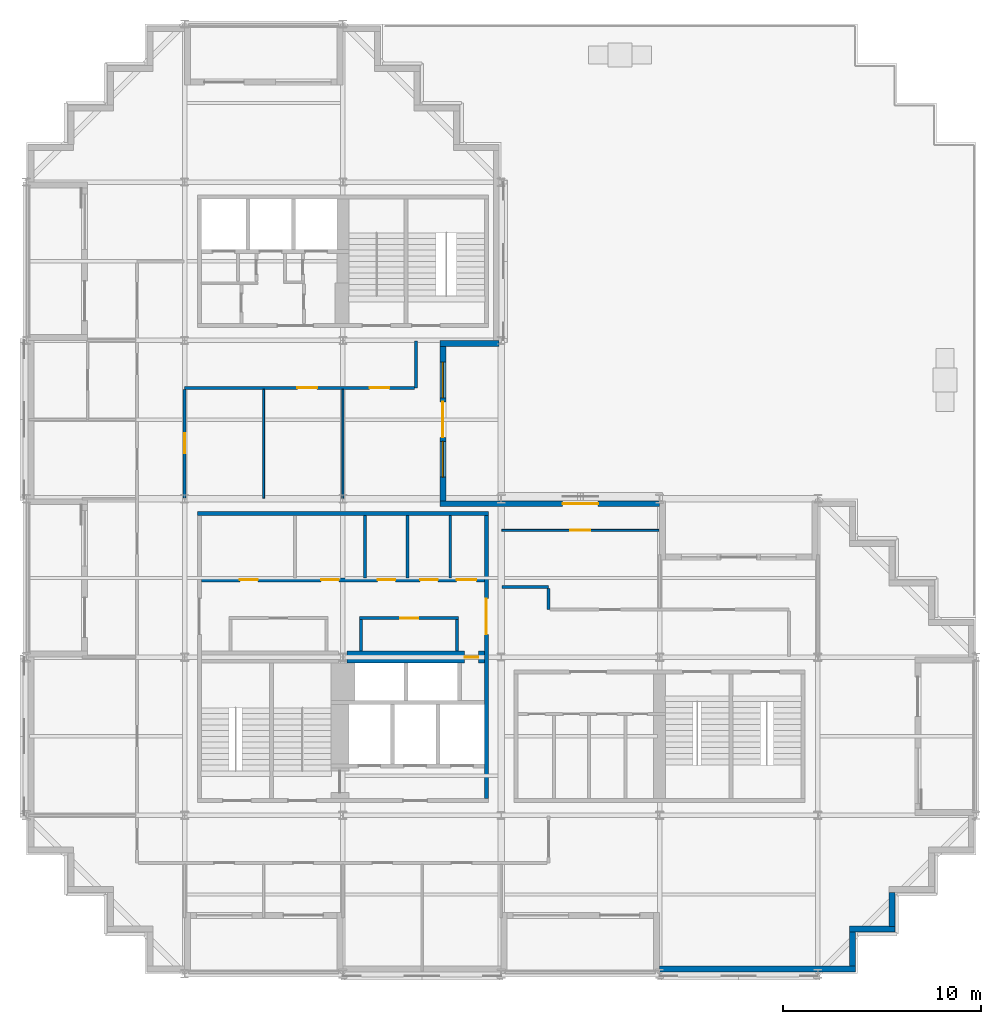
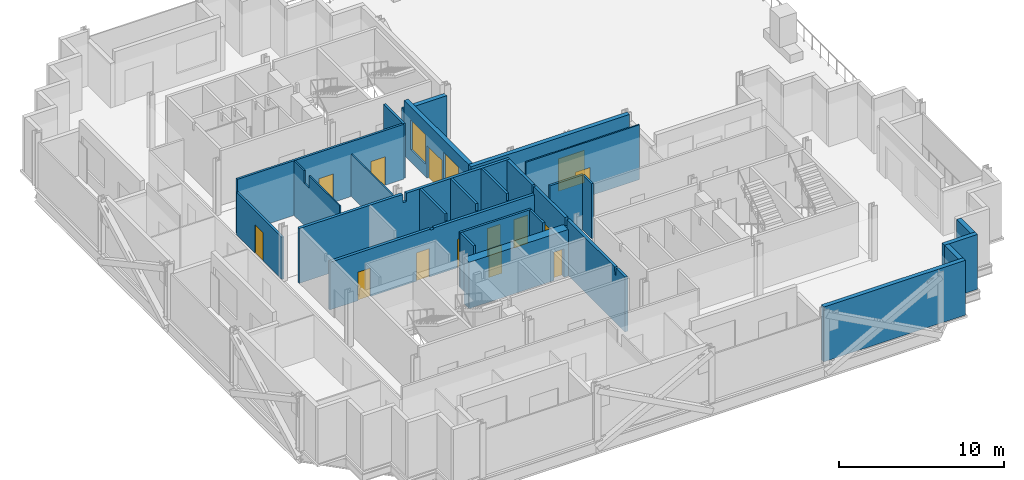
# One storey, part 6 of 12: 25 walls, 14 doors, 2 windows, 16 openings.
"""IFC4 building model written with IfcOpenShell, lengths in metres."""

from ifc_helpers import new_model, si_unit, direction, frame, frame_2d, origin, place, context, subcontext, project, spatial, polyline, rectangle, outline, extrude, material, layer, layer_set, type_object, element, fill, save


model = new_model("IFC4")

# Units and contexts
model_context = context("Model", 3, precision=1e-05, world=origin(), true_north=direction((0.0, 1.0)))
body_context = subcontext(model_context, "Body", "Model", "MODEL_VIEW")
ifc_project = project(units=[si_unit("LENGTHUNIT", "METRE"), si_unit("AREAUNIT", "SQUARE_METRE"), si_unit("VOLUMEUNIT", "CUBIC_METRE"), si_unit("PLANEANGLEUNIT", "RADIAN"), si_unit("MASSUNIT", "GRAM", prefix="KILO")], contexts=[model_context])

# Site, building, storey
site_placement = place(None, origin())
site = spatial("IfcSite", under=ifc_project, at=site_placement, CompositionType="ELEMENT")
building_placement = place(site_placement, origin())
building = spatial("IfcBuilding", under=site, at=building_placement, Name="Immortelle Media Tower", CompositionType="ELEMENT")
storey_placement = place(building_placement, frame((0.0, 0.0, 120.0)))
storey = spatial("IfcBuildingStorey", under=building, at=storey_placement, Name="L23", CompositionType="ELEMENT", Elevation=120.0)

# Wall, opening, door
ifc_material_1 = material(Name="Fire-rated masonry blockwork", Category="masonry")
ifc_layer_1 = layer(ifc_material_1, 0.60009765625)
ifc_layer_set_1 = layer_set([ifc_layer_1], Name="Fire-rated masonry blockwork")
wall_type_1 = type_object("IfcWallType", Name="Core grid-line wall 600", PredefinedType="PARTITIONING", material=ifc_layer_set_1)
wall_1_placement = place(storey_placement, frame((16.21044921875, 16.0, 0.0), z_axis=(0.0, 0.0, 1.0), x_axis=(1.0, 0.0, 0.0)))
wall_1 = element("IfcWall", 1, at=wall_1_placement, inside=storey, type_object=wall_type_1, Name="Core grid-line wall SW", PredefinedType="PARTITIONING", context=body_context, shape_type="SweptSolid", body=[
    extrude(rectangle(XDim=6.939453125, YDim=0.60009765625, at=frame_2d((3.4697265625, 0.0))), origin(), (0.0, 0.0, 1.0), 3.431884765625),
])
opening_1_placement = place(wall_1_placement, frame((6.639404296875, 0.0, 0.0), z_axis=(0.0, 0.0, 1.0), x_axis=(-1.0, 0.0, 0.0)))
opening_1 = element("IfcOpeningElement", 2, at=opening_1_placement, cuts=wall_1, Name="Opening C1-K016", PredefinedType="OPENING", context=body_context, shape_type="SweptSolid", body=[
    extrude(rectangle(XDim=0.699951171875, YDim=2.10009765625, at=frame_2d((0.35009765625, 1.050048828125))), frame((0.0, 0.31005859375, 0.0), z_axis=(0.0, -1.0, 0.0), x_axis=(1.0, 0.0, 0.0)), (0.0, 0.0, 1.0), 0.6201171875),
])
ifc_material_2 = material(Name="Galvanised steel door leaf and frame ASTM A653", Category="steel")
door_type_1 = type_object("IfcDoorType", Name="Service door 700 x 2100", OperationType="NOTDEFINED", PredefinedType="NOTDEFINED", material=ifc_material_2)
door_1_placement = place(opening_1_placement, origin())
door_1 = element("IfcDoor", 3, at=door_1_placement, inside=storey, type_object=door_type_1, Name="Service C1-K016", OperationType="SINGLE_SWING_RIGHT", OverallHeight=2.10009765625, OverallWidth=0.699951171875, PredefinedType="NOTDEFINED", context=body_context, shape_type="SweptSolid", body=[
    extrude(rectangle(XDim=0.699951171875, YDim=2.10009765625, at=frame_2d((0.35009765625, 1.050048828125))), frame((0.0, 0.02490234375, 0.0), z_axis=(0.0, -1.0, 0.0), x_axis=(1.0, 0.0, 0.0)), (0.0, 0.0, 1.0), 0.050048828125),
])
fill(opening_1, door_1)

# Wall
ifc_material_3 = material(Name="Fire-rated gypsum board", Category="gypsum")
ifc_layer_2 = layer(ifc_material_3, 0.02490234375)
ifc_material_4 = material(Name="Steel ASTM A653 SS Gr 50 stud frame with mineral wool", Category="steel")
ifc_layer_3 = layer(ifc_material_4, 0.10009765625)
ifc_layer_4 = layer(ifc_material_3, 0.02490234375)
ifc_layer_set_2 = layer_set([ifc_layer_2, ifc_layer_3, ifc_layer_4], Name="Steel ASTM A653 SS Gr 50 stud frame with mineral wool")
wall_type_2 = type_object("IfcWallType", Name="Core partition 150", PredefinedType="PARTITIONING", material=ifc_layer_set_2)
wall_2_placement = place(storey_placement, frame((16.925048828125, 16.300048828125, 0.0), z_axis=(0.0, 0.0, 1.0), x_axis=(0.0, 1.0, 0.0)))
element("IfcWall", 4, at=wall_2_placement, inside=storey, type_object=wall_type_2, Name="Core partition SW", PredefinedType="PARTITIONING", context=body_context, shape_type="SweptSolid", body=[
    extrude(rectangle(XDim=1.599853515625, YDim=0.14990234375, at=frame_2d((0.7998046875, 0.0))), origin(), (0.0, 0.0, 1.0), 4.050048828125),
])

# Wall, opening, door
wall_3_placement = place(storey_placement, frame((16.85009765625, 17.97509765625, 0.0), z_axis=(0.0, 0.0, 1.0), x_axis=(1.0, 0.0, 0.0)))
wall_3 = element("IfcWall", 5, at=wall_3_placement, inside=storey, type_object=wall_type_2, Name="Core partition SW", PredefinedType="PARTITIONING", context=body_context, shape_type="SweptSolid", body=[
    extrude(rectangle(XDim=5.0, YDim=0.14990234375, at=frame_2d((2.5, 0.0))), origin(), (0.0, 0.0, 1.0), 4.050048828125),
])
opening_2_placement = place(wall_3_placement, frame((2.949951171875, 0.0, 0.0), z_axis=(0.0, 0.0, 1.0), x_axis=(-1.0, 0.0, 0.0)))
opening_2 = element("IfcOpeningElement", 6, at=opening_2_placement, cuts=wall_3, Name="Opening C1-K010", PredefinedType="OPENING", context=body_context, shape_type="SweptSolid", body=[
    extrude(rectangle(XDim=0.89990234375, YDim=2.10009765625, at=frame_2d((0.449951171875, 1.050048828125))), frame((0.0, 0.0849609375, 0.0), z_axis=(0.0, -1.0, 0.0), x_axis=(1.0, 0.0, 0.0)), (0.0, 0.0, 1.0), 0.169921875),
])
ifc_material_5 = material(Name="Timber", Category="wood")
door_type_2 = type_object("IfcDoorType", Name="Room door 900 x 2100", OperationType="NOTDEFINED", PredefinedType="NOTDEFINED", material=ifc_material_5)
door_2_placement = place(opening_2_placement, origin())
door_2 = element("IfcDoor", 7, at=door_2_placement, inside=storey, type_object=door_type_2, Name="Room C1-K010", OperationType="SINGLE_SWING_LEFT", OverallHeight=2.10009765625, OverallWidth=0.89990234375, PredefinedType="NOTDEFINED", context=body_context, shape_type="SweptSolid", body=[
    extrude(rectangle(XDim=0.89990234375, YDim=2.10009765625, at=frame_2d((0.449951171875, 1.050048828125))), frame((0.0, 0.02490234375, 0.0), z_axis=(0.0, -1.0, 0.0), x_axis=(1.0, 0.0, 0.0)), (0.0, 0.0, 1.0), 0.050048828125),
])
fill(opening_2, door_2)

# Walls
for number, where, z_axis, x_axis, name in (
    (8, (17.125, 20.0, 0.0), (0.0, 0.0, 1.0), (0.0, 1.0, 0.0), "Core partition SW"),
    (9, (19.27490234375, 20.0, 0.0), (0.0, 0.0, 1.0), (0.0, 1.0, 0.0), "Core partition SW"),
    (10, (21.425048828125, 20.0, 0.0), (0.0, 0.0, 1.0), (0.0, 1.0, 0.0), "Core partition SW"),
):
    element("IfcWall", number, at=place(storey_placement, frame(where, z_axis=z_axis, x_axis=x_axis)), inside=storey, type_object=wall_type_2, Name=name, PredefinedType="PARTITIONING", context=body_context, shape_type="SweptSolid", body=[
        extrude(outline(polyline([(0.0, 0.0), (3.14990234375, 0.0), (3.14990234375, 4.050048828125), (0.08740234375, 4.050048828125), (0.08642578125, 3.51806640625), (0.0, 3.51806640625), (0.0, 0.0)])), frame((0.0, 0.074951171875, 0.0), z_axis=(0.0, -1.0, 0.0), x_axis=(1.0, 0.0, 0.0)), (0.0, 0.0, 1.0), 0.14990234375),
    ])
wall_4_placement = place(storey_placement, frame((21.77490234375, 16.300048828125, 0.0), z_axis=(0.0, 0.0, 1.0), x_axis=(0.0, 1.0, 0.0)))
element("IfcWall", 11, at=wall_4_placement, inside=storey, type_object=wall_type_2, Name="Core partition SW", PredefinedType="PARTITIONING", context=body_context, shape_type="SweptSolid", body=[
    extrude(rectangle(XDim=1.599853515625, YDim=0.14990234375, at=frame_2d((0.7998046875, 0.0))), origin(), (0.0, 0.0, 1.0), 4.050048828125),
])
ifc_layer_5 = layer(ifc_material_3, 0.03759765625)
ifc_layer_6 = layer(ifc_material_4, 0.125)
ifc_layer_7 = layer(ifc_material_3, 0.03759765625)
ifc_layer_set_3 = layer_set([ifc_layer_5, ifc_layer_6, ifc_layer_7], Name="Steel ASTM A653 SS Gr 50 stud frame with mineral wool")
wall_type_3 = type_object("IfcWallType", Name="Core shaft wall 200", PredefinedType="PARTITIONING", material=ifc_layer_set_3)
wall_5_placement = place(storey_placement, frame((8.64990234375, 23.25, 0.0), z_axis=(0.0, 0.0, 1.0), x_axis=(1.0, 0.0, 0.0)))
element("IfcWall", 12, at=wall_5_placement, inside=storey, type_object=wall_type_3, Name="Core shaft wall SW", PredefinedType="PARTITIONING", context=body_context, shape_type="SweptSolid", body=[
    extrude(outline(polyline([(0.0, 0.0), (14.7001953125, 0.0), (14.699951171875, 4.050048828125), (7.469482421875, 4.050048828125), (7.468505859375, 3.431884765625), (7.2314453125, 3.431884765625), (7.23046875, 4.050048828125), (0.0, 4.050048828125), (0.0, 0.0)])), frame((0.0, 0.10009765625, 0.0), z_axis=(0.0, -1.0, 0.0), x_axis=(1.0, 0.0, 0.0)), (0.0, 0.0, 1.0), 0.199951171875),
])

# Wall, openings, doors
wall_6_placement = place(storey_placement, frame((8.85009765625, 19.89990234375, 0.0), z_axis=(0.0, 0.0, 1.0), x_axis=(1.0, 0.0, 0.0)))
wall_6 = element("IfcWall", 13, at=wall_6_placement, inside=storey, type_object=wall_type_3, Name="Core shaft wall SW", PredefinedType="PARTITIONING", context=body_context, shape_type="SweptSolid", body=[
    extrude(outline(polyline([(0.0, 0.0), (14.2998046875, 0.0), (14.300048828125, 3.51806640625), (7.26953125, 3.51806640625), (7.2685546875, 3.431884765625), (7.031494140625, 3.431884765625), (7.030517578125, 3.51806640625), (0.0, 3.51806640625), (0.0, 0.0)])), frame((0.0, 0.10009765625, 0.0), z_axis=(0.0, -1.0, 0.0), x_axis=(1.0, 0.0, 0.0)), (0.0, 0.0, 1.0), 0.199951171875),
])
opening_3_placement = place(wall_6_placement, frame((1.949951171875, 0.0, 0.0)))
opening_3 = element("IfcOpeningElement", 14, at=opening_3_placement, cuts=wall_6, Name="Opening C1-K003", PredefinedType="OPENING", context=body_context, shape_type="SweptSolid", body=[
    extrude(rectangle(XDim=0.89990234375, YDim=2.10009765625, at=frame_2d((0.449951171875, 1.050048828125))), frame((0.0, 0.10986328125, 0.0), z_axis=(0.0, -1.0, 0.0), x_axis=(1.0, 0.0, 0.0)), (0.0, 0.0, 1.0), 0.219970703125),
])
opening_4_placement = place(wall_6_placement, frame((6.050048828125, 0.0, 0.0)))
opening_4 = element("IfcOpeningElement", 15, at=opening_4_placement, cuts=wall_6, Name="Opening C1-K006", PredefinedType="OPENING", context=body_context, shape_type="SweptSolid", body=[
    extrude(rectangle(XDim=0.89990234375, YDim=2.10009765625, at=frame_2d((0.449951171875, 1.050048828125))), frame((0.0, 0.10986328125, 0.0), z_axis=(0.0, -1.0, 0.0), x_axis=(1.0, 0.0, 0.0)), (0.0, 0.0, 1.0), 0.219970703125),
])
opening_5_placement = place(wall_6_placement, frame((8.89990234375, 0.0, 0.0)))
opening_5 = element("IfcOpeningElement", 16, at=opening_5_placement, cuts=wall_6, Name="Opening C1-K009", PredefinedType="OPENING", context=body_context, shape_type="SweptSolid", body=[
    extrude(rectangle(XDim=0.89990234375, YDim=2.10009765625, at=frame_2d((0.449951171875, 1.050048828125))), frame((0.0, 0.10986328125, 0.0), z_axis=(0.0, -1.0, 0.0), x_axis=(1.0, 0.0, 0.0)), (0.0, 0.0, 1.0), 0.219970703125),
])
opening_6_placement = place(wall_6_placement, frame((11.050048828125, 0.0, 0.0)))
opening_6 = element("IfcOpeningElement", 17, at=opening_6_placement, cuts=wall_6, Name="Opening C1-K013", PredefinedType="OPENING", context=body_context, shape_type="SweptSolid", body=[
    extrude(rectangle(XDim=0.89990234375, YDim=2.10009765625, at=frame_2d((0.449951171875, 1.050048828125))), frame((0.0, 0.10986328125, 0.0), z_axis=(0.0, -1.0, 0.0), x_axis=(1.0, 0.0, 0.0)), (0.0, 0.0, 1.0), 0.219970703125),
])
opening_7_placement = place(wall_6_placement, frame((12.89990234375, 0.0, 0.0)))
opening_7 = element("IfcOpeningElement", 18, at=opening_7_placement, cuts=wall_6, Name="Opening C1-K015", PredefinedType="OPENING", context=body_context, shape_type="SweptSolid", body=[
    extrude(rectangle(XDim=1.0, YDim=2.10009765625, at=frame_2d((0.5, 1.050048828125))), frame((0.0, 0.10986328125, 0.0), z_axis=(0.0, -1.0, 0.0), x_axis=(1.0, 0.0, 0.0)), (0.0, 0.0, 1.0), 0.219970703125),
])
door_type_3 = type_object("IfcDoorType", Name="Accessible toilet door 1000 x 2100", OperationType="NOTDEFINED", PredefinedType="NOTDEFINED", material=ifc_material_5)
door_3_placement = place(opening_7_placement, origin())
door_3 = element("IfcDoor", 19, at=door_3_placement, inside=storey, type_object=door_type_3, Name="Accessible toilet C1-K015", OperationType="SINGLE_SWING_LEFT", OverallHeight=2.10009765625, OverallWidth=1.0, PredefinedType="NOTDEFINED", context=body_context, shape_type="SweptSolid", body=[
    extrude(rectangle(XDim=1.0, YDim=2.10009765625, at=frame_2d((0.5, 1.050048828125))), frame((0.0, 0.02490234375, 0.0), z_axis=(0.0, -1.0, 0.0), x_axis=(1.0, 0.0, 0.0)), (0.0, 0.0, 1.0), 0.050048828125),
])
fill(opening_7, door_3)
door_4_placement = place(opening_3_placement, origin())
door_4 = element("IfcDoor", 20, at=door_4_placement, inside=storey, type_object=door_type_2, Name="Room C1-K003", OperationType="SINGLE_SWING_LEFT", OverallHeight=2.10009765625, OverallWidth=0.89990234375, PredefinedType="NOTDEFINED", context=body_context, shape_type="SweptSolid", body=[
    extrude(rectangle(XDim=0.89990234375, YDim=2.10009765625, at=frame_2d((0.449951171875, 1.050048828125))), frame((0.0, 0.02490234375, 0.0), z_axis=(0.0, -1.0, 0.0), x_axis=(1.0, 0.0, 0.0)), (0.0, 0.0, 1.0), 0.050048828125),
])
fill(opening_3, door_4)
door_5_placement = place(opening_4_placement, origin())
door_5 = element("IfcDoor", 21, at=door_5_placement, inside=storey, type_object=door_type_2, Name="Room C1-K006", OperationType="SINGLE_SWING_LEFT", OverallHeight=2.10009765625, OverallWidth=0.89990234375, PredefinedType="NOTDEFINED", context=body_context, shape_type="SweptSolid", body=[
    extrude(rectangle(XDim=0.89990234375, YDim=2.10009765625, at=frame_2d((0.449951171875, 1.050048828125))), frame((0.0, 0.02490234375, 0.0), z_axis=(0.0, -1.0, 0.0), x_axis=(1.0, 0.0, 0.0)), (0.0, 0.0, 1.0), 0.050048828125),
])
fill(opening_4, door_5)
door_type_4 = type_object("IfcDoorType", Name="Toilet door 900 x 2100", OperationType="NOTDEFINED", PredefinedType="NOTDEFINED", material=ifc_material_5)
door_6_placement = place(opening_5_placement, origin())
door_6 = element("IfcDoor", 22, at=door_6_placement, inside=storey, type_object=door_type_4, Name="Toilet C1-K009", OperationType="SINGLE_SWING_RIGHT", OverallHeight=2.10009765625, OverallWidth=0.89990234375, PredefinedType="NOTDEFINED", context=body_context, shape_type="SweptSolid", body=[
    extrude(rectangle(XDim=0.89990234375, YDim=2.10009765625, at=frame_2d((0.449951171875, 1.050048828125))), frame((0.0, 0.02490234375, 0.0), z_axis=(0.0, -1.0, 0.0), x_axis=(1.0, 0.0, 0.0)), (0.0, 0.0, 1.0), 0.050048828125),
])
fill(opening_5, door_6)
door_7_placement = place(opening_6_placement, origin())
door_7 = element("IfcDoor", 23, at=door_7_placement, inside=storey, type_object=door_type_4, Name="Toilet C1-K013", OperationType="SINGLE_SWING_RIGHT", OverallHeight=2.10009765625, OverallWidth=0.89990234375, PredefinedType="NOTDEFINED", context=body_context, shape_type="SweptSolid", body=[
    extrude(rectangle(XDim=0.89990234375, YDim=2.10009765625, at=frame_2d((0.449951171875, 1.050048828125))), frame((0.0, 0.02490234375, 0.0), z_axis=(0.0, -1.0, 0.0), x_axis=(1.0, 0.0, 0.0)), (0.0, 0.0, 1.0), 0.050048828125),
])
fill(opening_6, door_7)

# Wall, opening, door
wall_7_placement = place(storey_placement, frame((23.25, 8.85009765625, 0.0), z_axis=(0.0, 0.0, 1.0), x_axis=(0.0, 1.0, 0.0)))
wall_7 = element("IfcWall", 24, at=wall_7_placement, inside=storey, type_object=wall_type_3, Name="Core shaft wall SW", PredefinedType="PARTITIONING", context=body_context, shape_type="SweptSolid", body=[
    extrude(outline(polyline([(0.0, 0.0), (14.2998046875, 0.0), (14.300048828125, 4.050048828125), (11.237548828125, 4.050048828125), (11.236572265625, 3.51806640625), (11.0634765625, 3.51806640625), (11.0625, 4.050048828125), (7.26953125, 4.050048828125), (7.2685546875, 3.431884765625), (7.031494140625, 3.431884765625), (7.030517578125, 4.050048828125), (1.237548828125, 4.050048828125), (1.236572265625, 3.51806640625), (1.0634765625, 3.51806640625), (1.0625, 4.050048828125), (0.0, 4.050048828125), (0.0, 0.0)])), frame((0.0, 0.10009765625, 0.0), z_axis=(0.0, -1.0, 0.0), x_axis=(1.0, 0.0, 0.0)), (0.0, 0.0, 1.0), 0.199951171875),
])
opening_8_placement = place(wall_7_placement, frame((8.300048828125, 0.0, 0.0)))
opening_8 = element("IfcOpeningElement", 25, at=opening_8_placement, cuts=wall_7, Name="Opening C1-K017", PredefinedType="OPENING", context=body_context, shape_type="SweptSolid", body=[
    extrude(rectangle(XDim=1.800048828125, YDim=2.10009765625, at=frame_2d((0.89990234375, 1.050048828125))), frame((0.0, 0.10986328125, 0.0), z_axis=(0.0, -1.0, 0.0), x_axis=(1.0, 0.0, 0.0)), (0.0, 0.0, 1.0), 0.219970703125),
])
door_type_5 = type_object("IfcDoorType", Name="Lift lobby door 1800 x 2100", OperationType="DOUBLE_DOOR_SINGLE_SWING", PredefinedType="NOTDEFINED", material=ifc_material_2)
door_8_placement = place(opening_8_placement, origin())
door_8 = element("IfcDoor", 26, at=door_8_placement, inside=storey, type_object=door_type_5, Name="Lift lobby C1-K017", OperationType="DOUBLE_DOOR_SINGLE_SWING", OverallHeight=2.10009765625, OverallWidth=1.800048828125, PredefinedType="NOTDEFINED", context=body_context, shape_type="SweptSolid", body=[
    extrude(rectangle(XDim=1.800048828125, YDim=2.10009765625, at=frame_2d((0.89990234375, 1.050048828125))), frame((0.0, 0.02490234375, 0.0), z_axis=(0.0, -1.0, 0.0), x_axis=(1.0, 0.0, 0.0)), (0.0, 0.0, 1.0), 0.050048828125),
])
fill(opening_8, door_8)

# Walls
ifc_layer_8 = layer(ifc_material_3, 0.012451171875)
ifc_layer_9 = layer(ifc_material_4, 0.125)
ifc_layer_10 = layer(ifc_material_3, 0.012451171875)
ifc_layer_set_4 = layer_set([ifc_layer_8, ifc_layer_9, ifc_layer_10], Name="Steel ASTM A653 SS Gr 50 stud frame with mineral wool")
wall_type_4 = type_object("IfcWallType", Name="Corridor wall 150", PredefinedType="PARTITIONING", material=ifc_layer_set_4)
wall_8_placement = place(storey_placement, frame((26.39990234375, 18.39990234375, 0.0), z_axis=(0.0, 0.0, 1.0), x_axis=(0.0, 1.0, 0.0)))
element("IfcWall", 27, at=wall_8_placement, inside=storey, type_object=wall_type_4, Name="Partition L23-014", PredefinedType="PARTITIONING", context=body_context, shape_type="SweptSolid", body=[
    extrude(rectangle(XDim=1.0751953125, YDim=0.14990234375, at=frame_2d((0.53759765625, 0.0))), origin(), (0.0, 0.0, 1.0), 4.050048828125),
])
wall_9_placement = place(storey_placement, frame((24.030029296875, 19.550048828125, 0.0), z_axis=(0.0, 0.0, 1.0), x_axis=(1.0, 0.0, 0.0)))
element("IfcWall", 28, at=wall_9_placement, inside=storey, type_object=wall_type_4, Name="Partition L23-016", PredefinedType="PARTITIONING", context=body_context, shape_type="SweptSolid", body=[
    extrude(rectangle(XDim=2.369873046875, YDim=0.14990234375, at=frame_2d((1.18505859375, 0.0))), origin(), (0.0, 0.0, 1.0), 4.050048828125),
])

# Wall, opening, door
wall_10_placement = place(storey_placement, frame((8.0, 24.030029296875, 0.0), z_axis=(0.0, 0.0, 1.0), x_axis=(0.0, 1.0, 0.0)))
wall_10 = element("IfcWall", 29, at=wall_10_placement, inside=storey, type_object=wall_type_4, Name="Partition L23-019", PredefinedType="PARTITIONING", context=body_context, shape_type="SweptSolid", body=[
    extrude(rectangle(XDim=5.494873046875, YDim=0.14990234375, at=frame_2d((2.74755859375, 0.0))), origin(), (0.0, 0.0, 1.0), 3.123046875),
])
opening_9_placement = place(wall_10_placement, frame((3.27001953125, 0.0, 0.0), z_axis=(0.0, 0.0, 1.0), x_axis=(-1.0, 0.0, 0.0)))
opening_9 = element("IfcOpeningElement", 30, at=opening_9_placement, cuts=wall_10, Name="Opening C1-F012", PredefinedType="OPENING", context=body_context, shape_type="SweptSolid", body=[
    extrude(rectangle(XDim=1.0, YDim=2.10009765625, at=frame_2d((0.5, 1.050048828125))), frame((0.0, 0.0849609375, 0.0), z_axis=(0.0, -1.0, 0.0), x_axis=(1.0, 0.0, 0.0)), (0.0, 0.0, 1.0), 0.169921875),
])
ifc_material_6 = material(Name="Timber veneered door leaf, galvanised steel frame ASTM A653", Category="steel")
door_type_6 = type_object("IfcDoorType", Name="Room door 1000 x 2100", OperationType="NOTDEFINED", PredefinedType="DOOR", material=ifc_material_6)
door_9_placement = place(opening_9_placement, origin())
door_9 = element("IfcDoor", 31, at=door_9_placement, inside=storey, type_object=door_type_6, Name="Door C1-F012", OperationType="SINGLE_SWING_LEFT", OverallHeight=2.10009765625, OverallWidth=1.0, PredefinedType="DOOR", context=body_context, shape_type="SweptSolid", body=[
    extrude(rectangle(XDim=1.0, YDim=2.10009765625, at=frame_2d((0.5, 1.050048828125))), frame((0.0, 0.02490234375, 0.0), z_axis=(0.0, -1.0, 0.0), x_axis=(1.0, 0.0, 0.0)), (0.0, 0.0, 1.0), 0.050048828125),
])
fill(opening_9, door_9)

# Wall, openings, doors
wall_11_placement = place(storey_placement, frame((8.0, 29.60009765625, 0.0), z_axis=(0.0, 0.0, 1.0), x_axis=(1.0, 0.0, 0.0)))
wall_11 = element("IfcWall", 32, at=wall_11_placement, inside=storey, type_object=wall_type_4, Name="Partition L23-025", PredefinedType="PARTITIONING", context=body_context, shape_type="SweptSolid", body=[
    extrude(rectangle(XDim=11.625, YDim=0.14990234375, at=frame_2d((5.8125, 0.0))), origin(), (0.0, 0.0, 1.0), 4.050048828125),
])
opening_10_placement = place(wall_11_placement, frame((6.699951171875, 0.0, 0.0), z_axis=(0.0, 0.0, 1.0), x_axis=(-1.0, 0.0, 0.0)))
opening_10 = element("IfcOpeningElement", 33, at=opening_10_placement, cuts=wall_11, Name="Opening C1-F013", PredefinedType="OPENING", context=body_context, shape_type="SweptSolid", body=[
    extrude(rectangle(XDim=1.0, YDim=2.10009765625, at=frame_2d((0.5, 1.050048828125))), frame((0.0, 0.0849609375, 0.0), z_axis=(0.0, -1.0, 0.0), x_axis=(1.0, 0.0, 0.0)), (0.0, 0.0, 1.0), 0.169921875),
])
opening_11_placement = place(wall_11_placement, frame((10.35009765625, 0.0, 0.0), z_axis=(0.0, 0.0, 1.0), x_axis=(-1.0, 0.0, 0.0)))
opening_11 = element("IfcOpeningElement", 34, at=opening_11_placement, cuts=wall_11, Name="Opening C1-F014", PredefinedType="OPENING", context=body_context, shape_type="SweptSolid", body=[
    extrude(rectangle(XDim=1.0, YDim=2.10009765625, at=frame_2d((0.5, 1.050048828125))), frame((0.0, 0.0849609375, 0.0), z_axis=(0.0, -1.0, 0.0), x_axis=(1.0, 0.0, 0.0)), (0.0, 0.0, 1.0), 0.169921875),
])
door_10_placement = place(opening_10_placement, origin())
door_10 = element("IfcDoor", 35, at=door_10_placement, inside=storey, type_object=door_type_6, Name="Door C1-F013", OperationType="SINGLE_SWING_LEFT", OverallHeight=2.10009765625, OverallWidth=1.0, PredefinedType="DOOR", context=body_context, shape_type="SweptSolid", body=[
    extrude(rectangle(XDim=1.0, YDim=2.10009765625, at=frame_2d((0.5, 1.050048828125))), frame((0.0, 0.02490234375, 0.0), z_axis=(0.0, -1.0, 0.0), x_axis=(1.0, 0.0, 0.0)), (0.0, 0.0, 1.0), 0.050048828125),
])
fill(opening_10, door_10)
door_11_placement = place(opening_11_placement, origin())
door_11 = element("IfcDoor", 36, at=door_11_placement, inside=storey, type_object=door_type_6, Name="Door C1-F014", OperationType="SINGLE_SWING_RIGHT", OverallHeight=2.10009765625, OverallWidth=1.0, PredefinedType="DOOR", context=body_context, shape_type="SweptSolid", body=[
    extrude(rectangle(XDim=1.0, YDim=2.10009765625, at=frame_2d((0.5, 1.050048828125))), frame((0.0, 0.02490234375, 0.0), z_axis=(0.0, -1.0, 0.0), x_axis=(1.0, 0.0, 0.0)), (0.0, 0.0, 1.0), 0.050048828125),
])
fill(opening_11, door_11)

# Walls
wall_12_placement = place(storey_placement, frame((19.699951171875, 29.60009765625, 0.0), z_axis=(0.0, 0.0, 1.0), x_axis=(0.0, 1.0, 0.0)))
element("IfcWall", 37, at=wall_12_placement, inside=storey, type_object=wall_type_4, Name="Partition L23-026", PredefinedType="PARTITIONING", context=body_context, shape_type="SweptSolid", body=[
    extrude(rectangle(XDim=2.369873046875, YDim=0.14990234375, at=frame_2d((1.18505859375, 0.0))), origin(), (0.0, 0.0, 1.0), 4.050048828125),
])
ifc_material_7 = material(Name="Pale aluminium cladding panel", Category="aluminium")
ifc_layer_11 = layer(ifc_material_7, 0.030029296875)
ifc_layer_12 = layer(ifc_material_4, 0.257568359375)
ifc_material_8 = material(Name="Moisture-resistant gypsum board", Category="gypsum")
ifc_layer_13 = layer(ifc_material_8, 0.012451171875)
ifc_layer_set_5 = layer_set([ifc_layer_11, ifc_layer_12, ifc_layer_13], Name="Steel ASTM A653 SS Gr 50 stud frame with mineral wool")
wall_type_5 = type_object("IfcWallType", Name="Facade wall 300", PredefinedType="SOLIDWALL", material=ifc_layer_set_5)
wall_13_placement = place(storey_placement, frame((32.0, 0.25, 0.0), z_axis=(0.0, 0.0, 1.0), x_axis=(1.0, 0.0, 0.0)))
element("IfcWall", 38, at=wall_13_placement, inside=storey, type_object=wall_type_5, Name="Facade wall L23 S6", PredefinedType="SOLIDWALL", context=body_context, shape_type="SweptSolid", body=[
    extrude(rectangle(XDim=9.89990234375, YDim=0.300048828125, at=frame_2d((4.949951171875, 0.0))), origin(), (0.0, 0.0, 1.0), 4.050048828125),
])
wall_14_placement = place(storey_placement, frame((41.75, 0.39990234375, 0.0), z_axis=(0.0, 0.0, 1.0), x_axis=(0.0, 1.0, 0.0)))
element("IfcWall", 39, at=wall_14_placement, inside=storey, type_object=wall_type_5, Name="Facade wall L23 E7", PredefinedType="SOLIDWALL", context=body_context, shape_type="SweptSolid", body=[
    extrude(rectangle(XDim=1.7001953125, YDim=0.300048828125, at=frame_2d((0.85009765625, 0.0))), origin(), (0.0, 0.0, 1.0), 4.050048828125),
])
wall_15_placement = place(storey_placement, frame((41.60009765625, 2.25, 0.0), z_axis=(0.0, 0.0, 1.0), x_axis=(1.0, 0.0, 0.0)))
element("IfcWall", 40, at=wall_15_placement, inside=storey, type_object=wall_type_5, Name="Facade wall L23 S8", PredefinedType="SOLIDWALL", context=body_context, shape_type="SweptSolid", body=[
    extrude(rectangle(XDim=2.2998046875, YDim=0.300048828125, at=frame_2d((1.14990234375, 0.0))), origin(), (0.0, 0.0, 1.0), 4.050048828125),
])
wall_16_placement = place(storey_placement, frame((43.75, 2.39990234375, 0.0), z_axis=(0.0, 0.0, 1.0), x_axis=(0.0, 1.0, 0.0)))
element("IfcWall", 41, at=wall_16_placement, inside=storey, type_object=wall_type_5, Name="Facade wall L23 E9", PredefinedType="SOLIDWALL", context=body_context, shape_type="SweptSolid", body=[
    extrude(rectangle(XDim=1.7001953125, YDim=0.300048828125, at=frame_2d((0.85009765625, 0.0))), origin(), (0.0, 0.0, 1.0), 4.050048828125),
])

# Wall, opening, door
wall_17_placement = place(storey_placement, frame((32.0, 23.75, 0.0), z_axis=(0.0, 0.0, 1.0), x_axis=(-1.0, 0.0, 0.0)))
wall_17 = element("IfcWall", 42, at=wall_17_placement, inside=storey, type_object=wall_type_5, Name="Facade wall L23 N20", PredefinedType="SOLIDWALL", context=body_context, shape_type="SweptSolid", body=[
    extrude(rectangle(XDim=11.10009765625, YDim=0.300048828125, at=frame_2d((5.550048828125, 0.0))), origin(), (0.0, 0.0, 1.0), 4.050048828125),
])
opening_12_placement = place(wall_17_placement, frame((3.10009765625, 0.0, 0.0)))
opening_12 = element("IfcOpeningElement", 43, at=opening_12_placement, cuts=wall_17, Name="Opening C1-E801", PredefinedType="OPENING", context=body_context, shape_type="SweptSolid", body=[
    extrude(rectangle(XDim=1.800048828125, YDim=2.39990234375, at=frame_2d((0.89990234375, 1.199951171875))), frame((0.0, 0.159912109375, 0.0), z_axis=(0.0, -1.0, 0.0), x_axis=(1.0, 0.0, 0.0)), (0.0, 0.0, 1.0), 0.320068359375),
])
ifc_material_9 = material(Name="Aluminium frame, glazed leaves", Category="aluminium")
door_type_7 = type_object("IfcDoorType", Name="Terrace door 1800 x 2400", OperationType="DOUBLE_DOOR_SINGLE_SWING", PredefinedType="DOOR", material=ifc_material_9)
door_12_placement = place(opening_12_placement, origin())
door_12 = element("IfcDoor", 44, at=door_12_placement, inside=storey, type_object=door_type_7, Name="Door C1-E801", OperationType="DOUBLE_DOOR_SINGLE_SWING", OverallHeight=2.39990234375, OverallWidth=1.800048828125, PredefinedType="DOOR", context=body_context, shape_type="SweptSolid", body=[
    extrude(rectangle(XDim=1.800048828125, YDim=2.39990234375, at=frame_2d((0.89990234375, 1.199951171875))), frame((0.0, 0.02490234375, 0.0), z_axis=(0.0, -1.0, 0.0), x_axis=(1.0, 0.0, 0.0)), (0.0, 0.0, 1.0), 0.050048828125),
])
fill(opening_12, door_12)

# Wall, openings, door, windows
wall_18_placement = place(storey_placement, frame((21.050048828125, 23.89990234375, 0.0), z_axis=(0.0, 0.0, 1.0), x_axis=(0.0, 1.0, 0.0)))
wall_18 = element("IfcWall", 45, at=wall_18_placement, inside=storey, type_object=wall_type_5, Name="Loggia wall L23 E21", PredefinedType="SOLIDWALL", context=body_context, shape_type="SweptSolid", body=[
    extrude(rectangle(XDim=7.800048828125, YDim=0.300048828125, at=frame_2d((3.89990234375, 0.0))), origin(), (0.0, 0.0, 1.0), 4.050048828125),
])
opening_13_placement = place(wall_18_placement, frame((1.199951171875, 0.0, 0.89990234375)))
opening_13 = element("IfcOpeningElement", 46, at=opening_13_placement, cuts=wall_18, Name="Opening W2", PredefinedType="OPENING", context=body_context, shape_type="SweptSolid", body=[
    extrude(rectangle(XDim=1.800048828125, YDim=2.199951171875, at=frame_2d((0.89990234375, 1.10009765625))), frame((0.0, 0.159912109375, 0.0), z_axis=(0.0, -1.0, 0.0), x_axis=(1.0, 0.0, 0.0)), (0.0, 0.0, 1.0), 0.320068359375),
])
opening_14_placement = place(wall_18_placement, frame((5.199951171875, 0.0, 0.89990234375)))
opening_14 = element("IfcOpeningElement", 47, at=opening_14_placement, cuts=wall_18, Name="Opening W2", PredefinedType="OPENING", context=body_context, shape_type="SweptSolid", body=[
    extrude(rectangle(XDim=1.800048828125, YDim=2.199951171875, at=frame_2d((0.89990234375, 1.10009765625))), frame((0.0, 0.159912109375, 0.0), z_axis=(0.0, -1.0, 0.0), x_axis=(1.0, 0.0, 0.0)), (0.0, 0.0, 1.0), 0.320068359375),
])
opening_15_placement = place(wall_18_placement, frame((3.199951171875, 0.0, 0.0)))
opening_15 = element("IfcOpeningElement", 48, at=opening_15_placement, cuts=wall_18, Name="Opening C1-E803", PredefinedType="OPENING", context=body_context, shape_type="SweptSolid", body=[
    extrude(rectangle(XDim=1.800048828125, YDim=2.39990234375, at=frame_2d((0.89990234375, 1.199951171875))), frame((0.0, 0.159912109375, 0.0), z_axis=(0.0, -1.0, 0.0), x_axis=(1.0, 0.0, 0.0)), (0.0, 0.0, 1.0), 0.320068359375),
])
door_13_placement = place(opening_15_placement, origin())
door_13 = element("IfcDoor", 49, at=door_13_placement, inside=storey, type_object=door_type_7, Name="Door C1-E803", OperationType="DOUBLE_DOOR_SINGLE_SWING", OverallHeight=2.39990234375, OverallWidth=1.800048828125, PredefinedType="DOOR", context=body_context, shape_type="SweptSolid", body=[
    extrude(rectangle(XDim=1.800048828125, YDim=2.39990234375, at=frame_2d((0.89990234375, 1.199951171875))), frame((0.0, 0.02490234375, 0.0), z_axis=(0.0, -1.0, 0.0), x_axis=(1.0, 0.0, 0.0)), (0.0, 0.0, 1.0), 0.050048828125),
])
fill(opening_15, door_13)
ifc_material_10 = material(Name="Aluminium frame", Category="aluminium")
window_type = type_object("IfcWindowType", Name="Window 1800 x 2200", PartitioningType="SINGLE_PANEL", PredefinedType="WINDOW", material=ifc_material_10)
window_1_placement = place(opening_13_placement, origin())
window_1 = element("IfcWindow", 50, at=window_1_placement, inside=storey, type_object=window_type, Name="Window L23 L23-R21-B0", OverallHeight=2.199951171875, OverallWidth=1.800048828125, PartitioningType="SINGLE_PANEL", PredefinedType="WINDOW", context=body_context, shape_type="SweptSolid", body=[
    extrude(rectangle(XDim=1.800048828125, YDim=2.199951171875, at=frame_2d((0.89990234375, 1.10009765625))), frame((0.0, 0.030029296875, 0.0), z_axis=(0.0, -1.0, 0.0), x_axis=(1.0, 0.0, 0.0)), (0.0, 0.0, 1.0), 0.06005859375),
])
fill(opening_13, window_1)
window_2_placement = place(opening_14_placement, origin())
window_2 = element("IfcWindow", 51, at=window_2_placement, inside=storey, type_object=window_type, Name="Window L23 L23-R21-B0", OverallHeight=2.199951171875, OverallWidth=1.800048828125, PartitioningType="SINGLE_PANEL", PredefinedType="WINDOW", context=body_context, shape_type="SweptSolid", body=[
    extrude(rectangle(XDim=1.800048828125, YDim=2.199951171875, at=frame_2d((0.89990234375, 1.10009765625))), frame((0.0, 0.030029296875, 0.0), z_axis=(0.0, -1.0, 0.0), x_axis=(1.0, 0.0, 0.0)), (0.0, 0.0, 1.0), 0.06005859375),
])
fill(opening_14, window_2)

# Wall
wall_19_placement = place(storey_placement, frame((23.89990234375, 31.85009765625, 0.0), z_axis=(0.0, 0.0, 1.0), x_axis=(-1.0, 0.0, 0.0)))
element("IfcWall", 52, at=wall_19_placement, inside=storey, type_object=wall_type_5, Name="Loggia cheek wall L23 E", PredefinedType="SOLIDWALL", context=body_context, shape_type="SweptSolid", body=[
    extrude(rectangle(XDim=3.0, YDim=0.300048828125, at=frame_2d((1.5, 0.0))), origin(), (0.0, 0.0, 1.0), 3.35595703125),
])

# Wall, opening, door
ifc_material_11 = material(Name="Gypsum board", Category="gypsum")
ifc_layer_14 = layer(ifc_material_11, 0.012451171875)
ifc_layer_15 = layer(ifc_material_4, 0.074951171875)
ifc_layer_16 = layer(ifc_material_11, 0.012451171875)
ifc_layer_set_6 = layer_set([ifc_layer_14, ifc_layer_15, ifc_layer_16], Name="Steel ASTM A653 SS Gr 50 stud frame with mineral wool")
wall_type_6 = type_object("IfcWallType", Name="Partition 100", PredefinedType="PARTITIONING", material=ifc_layer_set_6)
wall_20_placement = place(storey_placement, frame((24.030029296875, 22.39990234375, 0.0), z_axis=(0.0, 0.0, 1.0), x_axis=(1.0, 0.0, 0.0)))
wall_20 = element("IfcWall", 53, at=wall_20_placement, inside=storey, type_object=wall_type_6, Name="Partition L23-017", PredefinedType="PARTITIONING", context=body_context, shape_type="SweptSolid", body=[
    extrude(rectangle(XDim=7.93994140625, YDim=0.10009765625, at=frame_2d((3.969970703125, 0.0))), origin(), (0.0, 0.0, 1.0), 4.050048828125),
])
opening_16_placement = place(wall_20_placement, frame((4.469970703125, 0.0, 0.0), z_axis=(0.0, 0.0, 1.0), x_axis=(-1.0, 0.0, 0.0)))
opening_16 = element("IfcOpeningElement", 54, at=opening_16_placement, cuts=wall_20, Name="Opening C1-F011", PredefinedType="OPENING", context=body_context, shape_type="SweptSolid", body=[
    extrude(rectangle(XDim=1.0, YDim=2.10009765625, at=frame_2d((0.5, 1.050048828125))), frame((0.0, 0.06005859375, 0.0), z_axis=(0.0, -1.0, 0.0), x_axis=(1.0, 0.0, 0.0)), (0.0, 0.0, 1.0), 0.1201171875),
])
door_14_placement = place(opening_16_placement, origin())
door_14 = element("IfcDoor", 55, at=door_14_placement, inside=storey, type_object=door_type_6, Name="Door C1-F011", OperationType="SINGLE_SWING_RIGHT", OverallHeight=2.10009765625, OverallWidth=1.0, PredefinedType="DOOR", context=body_context, shape_type="SweptSolid", body=[
    extrude(rectangle(XDim=1.0, YDim=2.10009765625, at=frame_2d((0.5, 1.050048828125))), frame((0.0, 0.02490234375, 0.0), z_axis=(0.0, -1.0, 0.0), x_axis=(1.0, 0.0, 0.0)), (0.0, 0.0, 1.0), 0.050048828125),
])
fill(opening_16, door_14)

# Walls
wall_21_placement = place(storey_placement, frame((12.0, 24.030029296875, 0.0), z_axis=(0.0, 0.0, 1.0), x_axis=(0.0, 1.0, 0.0)))
element("IfcWall", 56, at=wall_21_placement, inside=storey, type_object=wall_type_6, Name="Partition L23-020", PredefinedType="PARTITIONING", context=body_context, shape_type="SweptSolid", body=[
    extrude(outline(polyline([(0.0, 0.0), (5.494873046875, 0.0), (5.4951171875, 4.050048828125), (4.27001953125, 4.050048828125), (4.26806640625, 3.123046875), (3.672119140625, 3.123046875), (3.669921875, 4.050048828125), (0.0, 4.050048828125), (0.0, 0.0)])), frame((0.0, 0.050048828125, 0.0), z_axis=(0.0, -1.0, 0.0), x_axis=(1.0, 0.0, 0.0)), (0.0, 0.0, 1.0), 0.10009765625),
])
wall_22_placement = place(storey_placement, frame((16.0, 24.030029296875, 0.0), z_axis=(0.0, 0.0, 1.0), x_axis=(0.0, 1.0, 0.0)))
element("IfcWall", 57, at=wall_22_placement, inside=storey, type_object=wall_type_6, Name="Partition L23-021", PredefinedType="PARTITIONING", context=body_context, shape_type="SweptSolid", body=[
    extrude(rectangle(XDim=5.494873046875, YDim=0.10009765625, at=frame_2d((2.74755859375, 0.0))), origin(), (0.0, 0.0, 1.0), 3.123046875),
])

save(model, "model.ifc")
